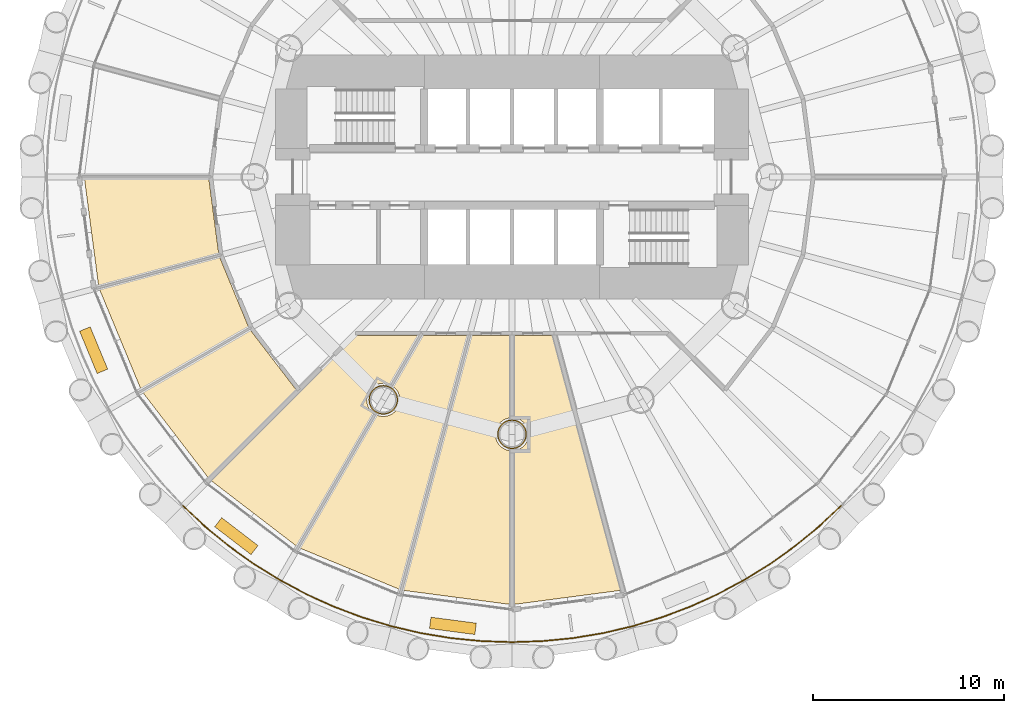
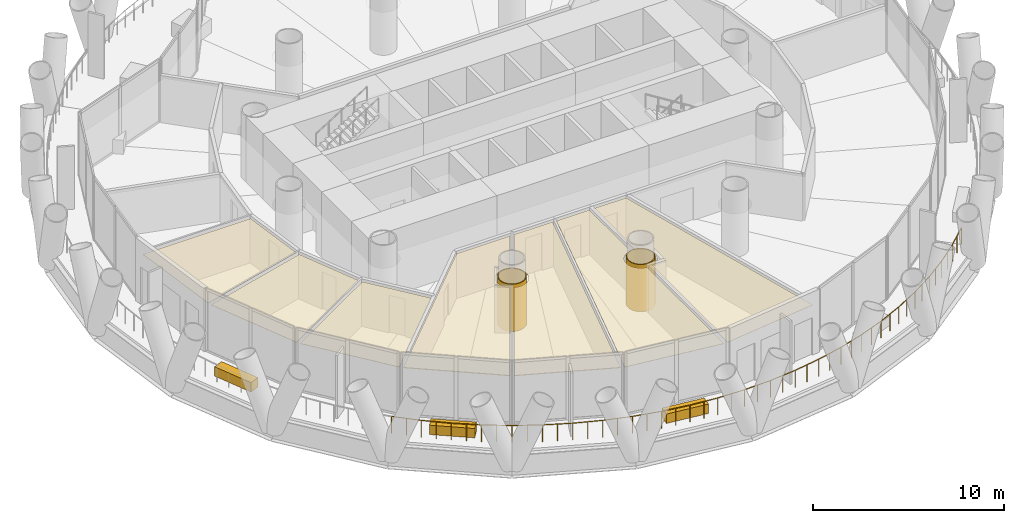
# One storey, part 11 of 14: 12 coverings, 1 railing.
"""IFC4 building model written with IfcOpenShell, lengths in metres."""

from ifc_helpers import new_model, si_unit, direction, frame, origin, origin_2d, place, context, subcontext, project, spatial, polyline, rectangle, circle, outline, extrude, material, layer, layer_set, type_object, element, save


model = new_model("IFC4")

# Units and contexts
model_context = context("Model", 3, precision=1e-05, world=origin(), true_north=direction((0.0, 1.0)))
body_context = subcontext(model_context, "Body", "Model", "MODEL_VIEW")
ifc_project = project(units=[si_unit("LENGTHUNIT", "METRE"), si_unit("AREAUNIT", "SQUARE_METRE"), si_unit("VOLUMEUNIT", "CUBIC_METRE"), si_unit("PLANEANGLEUNIT", "RADIAN"), si_unit("MASSUNIT", "GRAM", prefix="KILO")], contexts=[model_context])

# Site, building, storey
site_placement = place(None, origin())
site = spatial("IfcSite", under=ifc_project, at=site_placement, CompositionType="ELEMENT")
building_placement = place(site_placement, origin())
building = spatial("IfcBuilding", under=site, at=building_placement, Name="Qaws Media Tower", CompositionType="ELEMENT")
storey_placement = place(building_placement, frame((0.0, 0.0, 59.60009765625)))
storey = spatial("IfcBuildingStorey", under=building, at=storey_placement, Name="L12", CompositionType="ELEMENT", Elevation=59.60009765625)

# Coverings
ifc_material_1 = material(Name="40 perforated acoustic panels with mineral wool backing, suspended", Category="mineral fibre")
ifc_layer_1 = layer(ifc_material_1, 0.0400390625)
ifc_layer_set_1 = layer_set([ifc_layer_1], Name="Acoustic panel ceiling 40")
covering_type_1 = type_object("IfcCoveringType", Name="Acoustic panel ceiling 40", PredefinedType="CEILING", material=ifc_layer_set_1)
covering_1_placement = place(storey_placement, frame((0.0, 0.0, 2.849853515625)))
element("IfcCovering", 1, at=covering_1_placement, inside=storey, type_object=covering_type_1, Name="CL3 ceiling L12-08 Editors' meeting room", PredefinedType="CEILING", context=body_context, shape_type="SweptSolid", body=[
    extrude(outline(polyline([(44.225830078125, 34.06689453125), (51.8466796875, 41.6875), (55.07080078125, 41.6875), (53.58447265625, 39.11279296875), (53.475341796875, 39.14990234375), (53.36376953125, 39.172119140625), (53.25, 39.1796875), (53.13623046875, 39.172119140625), (53.024658203125, 39.14990234375), (52.916748046875, 39.11328125), (52.814453125, 39.06298828125), (52.7197265625, 38.999755859375), (52.634033203125, 38.924560546875), (52.55908203125, 38.8388671875), (52.49560546875, 38.744140625), (52.4453125, 38.64208984375), (52.40869140625, 38.5341796875), (52.386474609375, 38.42236328125), (52.37890625, 38.30859375), (52.386474609375, 38.195068359375), (52.40869140625, 38.083251953125), (52.4453125, 37.975341796875), (52.49560546875, 37.873291015625), (52.55908203125, 37.7783203125), (52.634033203125, 37.69287109375), (52.720703125, 37.616943359375), (48.6923828125, 30.6396484375), (44.225830078125, 34.06689453125)])), origin(), (0.0, 0.0, 1.0), 0.0400390625),
])
covering_2_placement = place(storey_placement, frame((0.0, 0.0, 2.849853515625)))
element("IfcCovering", 2, at=covering_2_placement, inside=storey, type_object=covering_type_1, Name="CL3 ceiling L12-09 Quiet room", PredefinedType="CEILING", context=body_context, shape_type="SweptSolid", body=[
    extrude(outline(polyline([(48.88720703125, 30.527099609375), (52.91552734375, 37.50439453125), (53.024658203125, 37.46728515625), (53.13623046875, 37.445068359375), (53.25, 37.437744140625), (53.36376953125, 37.445068359375), (53.475341796875, 37.46728515625), (53.583251953125, 37.50390625), (53.685546875, 37.55419921875), (53.7802734375, 37.61767578125), (53.865966796875, 37.69287109375), (53.94091796875, 37.7783203125), (54.00439453125, 37.873291015625), (54.0546875, 37.975341796875), (54.09130859375, 38.083251953125), (54.113525390625, 38.195068359375), (54.12109375, 38.30859375), (54.113525390625, 38.42236328125), (54.09130859375, 38.5341796875), (54.0546875, 38.64208984375), (54.00439453125, 38.744140625), (53.94091796875, 38.8388671875), (53.865966796875, 38.924560546875), (53.779296875, 39.000244140625), (55.330810546875, 41.6875), (57.65625, 41.6875), (54.08837890625, 28.372802734375), (48.88720703125, 30.527099609375)])), origin(), (0.0, 0.0, 1.0), 0.0400390625),
])

# Railing
ifc_material_2 = material(Name="Stainless steel and glass guard", Category="steel")
railing_type = type_object("IfcRailingType", Name="Balcony guard 1100", PredefinedType="GUARDRAIL", material=ifc_material_2)
railing_placement = place(storey_placement, frame((42.74658203125, 32.74658203125, 0.0)))
element("IfcRailing", 3, at=railing_placement, inside=storey, type_object=railing_type, Name="GR1 balcony guard L12-3", PredefinedType="GUARDRAIL", context=body_context, shape_type="SweptSolid", body=[
    extrude(circle(Radius=0.02392578125, at=origin_2d()), frame((0.0, 0.0, 1.076171875), z_axis=(0.729818476027, -0.683640981839, 0.0), x_axis=(0.683640981839, 0.729818476027, 0.0)), (0.0, 0.0, 1.0), 1.5966796875),
    extrude(circle(Radius=0.02392578125, at=origin_2d()), frame((1.165283203125, -1.091552734375, 1.076171875), z_axis=(0.773036842629, -0.634361127386, 0.0), x_axis=(0.634361127386, 0.773036842629, 0.0)), (0.0, 0.0, 1.0), 1.5966796875),
    extrude(circle(Radius=0.02392578125, at=origin_2d()), frame((2.399658203125, -2.1044921875, 1.076171875), z_axis=(0.812875043976, -0.582438119358, 0.0), x_axis=(0.582438119358, 0.812875043976, 0.0)), (0.0, 0.0, 1.0), 1.5966796875),
    extrude(circle(Radius=0.02392578125, at=origin_2d()), frame((3.697509765625, -3.034423828125, 1.076171875), z_axis=(0.849181552622, -0.528101023183, 0.0), x_axis=(0.528101023183, 0.849181552622, 0.0)), (0.0, 0.0, 1.0), 1.5966796875),
    extrude(circle(Radius=0.02392578125, at=origin_2d()), frame((5.053466796875, -3.877685546875, 1.076171875), z_axis=(0.881925093019, -0.471389573817, 0.0), x_axis=(0.471389573817, 0.881925093019, 0.0)), (0.0, 0.0, 1.0), 1.5966796875),
    extrude(circle(Radius=0.02392578125, at=origin_2d()), frame((6.461669921875, -4.63037109375, 1.076171875), z_axis=(0.910868514456, -0.412696679624, 0.0), x_axis=(0.412696679624, 0.910868514456, 0.0)), (0.0, 0.0, 1.0), 1.5966796875),
    extrude(circle(Radius=0.02392578125, at=origin_2d()), frame((7.916015625, -5.289306640625, 1.076171875), z_axis=(0.935945304178, -0.352145406881, 0.0), x_axis=(0.352145406881, 0.935945304178, 0.0)), (0.0, 0.0, 1.0), 1.5966796875),
    extrude(circle(Radius=0.02392578125, at=origin_2d()), frame((9.410400390625, -5.8515625, 1.076171875), z_axis=(0.956912447649, -0.290376596051, 0.0), x_axis=(0.290376596051, 0.956912447649, 0.0)), (0.0, 0.0, 1.0), 1.5966796875),
    extrude(circle(Radius=0.02392578125, at=origin_2d()), frame((10.938232421875, -6.315185546875, 1.076171875), z_axis=(0.973878416925, -0.227070097211, 0.0), x_axis=(0.227070097211, 0.973878416925, 0.0)), (0.0, 0.0, 1.0), 1.5966796875),
    extrude(circle(Radius=0.02392578125, at=origin_2d()), frame((12.4931640625, -6.677734375, 1.076171875), z_axis=(0.986653027442, -0.162836738606, 0.0), x_axis=(0.162836738606, 0.986653027442, 0.0)), (0.0, 0.0, 1.0), 1.5966796875),
    extrude(circle(Radius=0.02392578125, at=origin_2d()), frame((14.068603515625, -6.937744140625, 1.076171875), z_axis=(0.995184458966, -0.098019858359, 0.0), x_axis=(0.098019858359, 0.995184458966, 0.0)), (0.0, 0.0, 1.0), 1.596435546875),
    extrude(circle(Radius=0.02392578125, at=origin_2d()), frame((15.657470703125, -7.09423828125, 1.076171875), z_axis=(0.999464583588, -0.032719201604, 0.0), x_axis=(0.032719201604, 0.999464583588, 0.0)), (0.0, 0.0, 1.0), 1.596923828125),
    extrude(circle(Radius=0.02392578125, at=origin_2d()), frame((17.25341796875, -7.146484375, 1.076171875), z_axis=(0.999464583588, 0.032719201604, 0.0), x_axis=(-0.032719201604, 0.999464583588, 0.0)), (0.0, 0.0, 1.0), 1.596923828125),
    extrude(circle(Radius=0.02392578125, at=origin_2d()), frame((18.849365234375, -7.09423828125, 1.076171875), z_axis=(0.995184458966, 0.098019858359, 0.0), x_axis=(-0.098019858359, 0.995184458966, 0.0)), (0.0, 0.0, 1.0), 1.596435546875),
    extrude(circle(Radius=0.02392578125, at=origin_2d()), frame((20.438232421875, -6.937744140625, 1.076171875), z_axis=(0.986653027442, 0.162836738606, 0.0), x_axis=(-0.162836738606, 0.986653027442, 0.0)), (0.0, 0.0, 1.0), 1.5966796875),
    extrude(circle(Radius=0.02392578125, at=origin_2d()), frame((22.013671875, -6.677734375, 1.076171875), z_axis=(0.973878416925, 0.227070097211, 0.0), x_axis=(-0.227070097211, 0.973878416925, 0.0)), (0.0, 0.0, 1.0), 1.5966796875),
    extrude(circle(Radius=0.02392578125, at=origin_2d()), frame((23.568603515625, -6.315185546875, 1.076171875), z_axis=(0.956912447649, 0.290376596051, 0.0), x_axis=(-0.290376596051, 0.956912447649, 0.0)), (0.0, 0.0, 1.0), 1.5966796875),
    extrude(circle(Radius=0.02392578125, at=origin_2d()), frame((25.096435546875, -5.8515625, 1.076171875), z_axis=(0.935945304178, 0.352145406881, 0.0), x_axis=(-0.352145406881, 0.935945304178, 0.0)), (0.0, 0.0, 1.0), 1.5966796875),
    extrude(circle(Radius=0.02392578125, at=origin_2d()), frame((26.5908203125, -5.289306640625, 1.076171875), z_axis=(0.910868514456, 0.412696679624, 0.0), x_axis=(-0.412696679624, 0.910868514456, 0.0)), (0.0, 0.0, 1.0), 1.5966796875),
    extrude(circle(Radius=0.02392578125, at=origin_2d()), frame((28.045166015625, -4.63037109375, 1.076171875), z_axis=(0.881925093019, 0.471389573817, 0.0), x_axis=(-0.471389573817, 0.881925093019, 0.0)), (0.0, 0.0, 1.0), 1.5966796875),
    extrude(circle(Radius=0.02392578125, at=origin_2d()), frame((29.453369140625, -3.877685546875, 1.076171875), z_axis=(0.849181552622, 0.528101023183, 0.0), x_axis=(-0.528101023183, 0.849181552622, 0.0)), (0.0, 0.0, 1.0), 1.5966796875),
    extrude(circle(Radius=0.02392578125, at=origin_2d()), frame((30.809326171875, -3.034423828125, 1.076171875), z_axis=(0.812875043976, 0.582438119358, 0.0), x_axis=(-0.582438119358, 0.812875043976, 0.0)), (0.0, 0.0, 1.0), 1.5966796875),
    extrude(circle(Radius=0.02392578125, at=origin_2d()), frame((32.107177734375, -2.1044921875, 1.076171875), z_axis=(0.773036842629, 0.634361127386, 0.0), x_axis=(-0.634361127386, 0.773036842629, 0.0)), (0.0, 0.0, 1.0), 1.5966796875),
    extrude(circle(Radius=0.02392578125, at=origin_2d()), frame((33.341552734375, -1.091552734375, 1.076171875), z_axis=(0.729818476027, 0.683640981839, 0.0), x_axis=(-0.683640981839, 0.729818476027, 0.0)), (0.0, 0.0, 1.0), 1.5966796875),
    extrude(circle(Radius=0.02099609375, at=origin_2d()), origin(), (0.0, 0.0, 1.0), 1.052001953125),
    extrude(circle(Radius=0.02099609375, at=origin_2d()), frame((0.58251953125, -0.5458984375, 0.0)), (0.0, 0.0, 1.0), 1.052001953125),
    extrude(circle(Radius=0.02099609375, at=origin_2d()), frame((1.165283203125, -1.091552734375, 0.0)), (0.0, 0.0, 1.0), 1.052001953125),
    extrude(circle(Radius=0.02099609375, at=origin_2d()), frame((1.782470703125, -1.59814453125, 0.0)), (0.0, 0.0, 1.0), 1.052001953125),
    extrude(circle(Radius=0.02099609375, at=origin_2d()), frame((2.399658203125, -2.1044921875, 0.0)), (0.0, 0.0, 1.0), 1.052001953125),
    extrude(circle(Radius=0.02099609375, at=origin_2d()), frame((3.048583984375, -2.5693359375, 0.0)), (0.0, 0.0, 1.0), 1.052001953125),
    extrude(circle(Radius=0.02099609375, at=origin_2d()), frame((3.697509765625, -3.034423828125, 0.0)), (0.0, 0.0, 1.0), 1.052001953125),
    extrude(circle(Radius=0.02099609375, at=origin_2d()), frame((4.37548828125, -3.4560546875, 0.0)), (0.0, 0.0, 1.0), 1.052001953125),
    extrude(circle(Radius=0.02099609375, at=origin_2d()), frame((5.053466796875, -3.877685546875, 0.0)), (0.0, 0.0, 1.0), 1.052001953125),
    extrude(circle(Radius=0.02099609375, at=origin_2d()), frame((5.757568359375, -4.25390625, 0.0)), (0.0, 0.0, 1.0), 1.052001953125),
    extrude(circle(Radius=0.02099609375, at=origin_2d()), frame((6.461669921875, -4.63037109375, 0.0)), (0.0, 0.0, 1.0), 1.052001953125),
    extrude(circle(Radius=0.02099609375, at=origin_2d()), frame((7.18896484375, -4.9599609375, 0.0)), (0.0, 0.0, 1.0), 1.052001953125),
    extrude(circle(Radius=0.02099609375, at=origin_2d()), frame((7.916015625, -5.289306640625, 0.0)), (0.0, 0.0, 1.0), 1.052001953125),
    extrude(circle(Radius=0.02099609375, at=origin_2d()), frame((8.6630859375, -5.5703125, 0.0)), (0.0, 0.0, 1.0), 1.052001953125),
    extrude(circle(Radius=0.02099609375, at=origin_2d()), frame((9.410400390625, -5.8515625, 0.0)), (0.0, 0.0, 1.0), 1.052001953125),
    extrude(circle(Radius=0.02099609375, at=origin_2d()), frame((10.17431640625, -6.08349609375, 0.0)), (0.0, 0.0, 1.0), 1.052001953125),
    extrude(circle(Radius=0.02099609375, at=origin_2d()), frame((10.938232421875, -6.315185546875, 0.0)), (0.0, 0.0, 1.0), 1.052001953125),
    extrude(circle(Radius=0.02099609375, at=origin_2d()), frame((11.7158203125, -6.49658203125, 0.0)), (0.0, 0.0, 1.0), 1.052001953125),
    extrude(circle(Radius=0.02099609375, at=origin_2d()), frame((12.4931640625, -6.677734375, 0.0)), (0.0, 0.0, 1.0), 1.052001953125),
    extrude(circle(Radius=0.02099609375, at=origin_2d()), frame((13.28076171875, -6.8076171875, 0.0)), (0.0, 0.0, 1.0), 1.052001953125),
    extrude(circle(Radius=0.02099609375, at=origin_2d()), frame((14.068603515625, -6.937744140625, 0.0)), (0.0, 0.0, 1.0), 1.052001953125),
    extrude(circle(Radius=0.02099609375, at=origin_2d()), frame((14.863037109375, -7.01611328125, 0.0)), (0.0, 0.0, 1.0), 1.052001953125),
    extrude(circle(Radius=0.02099609375, at=origin_2d()), frame((15.657470703125, -7.09423828125, 0.0)), (0.0, 0.0, 1.0), 1.052001953125),
    extrude(circle(Radius=0.02099609375, at=origin_2d()), frame((16.45556640625, -7.120361328125, 0.0)), (0.0, 0.0, 1.0), 1.052001953125),
    extrude(circle(Radius=0.02099609375, at=origin_2d()), frame((17.25341796875, -7.146484375, 0.0)), (0.0, 0.0, 1.0), 1.052001953125),
    extrude(circle(Radius=0.02099609375, at=origin_2d()), frame((18.05126953125, -7.120361328125, 0.0)), (0.0, 0.0, 1.0), 1.052001953125),
    extrude(circle(Radius=0.02099609375, at=origin_2d()), frame((18.849365234375, -7.09423828125, 0.0)), (0.0, 0.0, 1.0), 1.052001953125),
    extrude(circle(Radius=0.02099609375, at=origin_2d()), frame((19.643798828125, -7.01611328125, 0.0)), (0.0, 0.0, 1.0), 1.052001953125),
    extrude(circle(Radius=0.02099609375, at=origin_2d()), frame((20.438232421875, -6.937744140625, 0.0)), (0.0, 0.0, 1.0), 1.052001953125),
    extrude(circle(Radius=0.02099609375, at=origin_2d()), frame((21.22607421875, -6.8076171875, 0.0)), (0.0, 0.0, 1.0), 1.052001953125),
    extrude(circle(Radius=0.02099609375, at=origin_2d()), frame((22.013671875, -6.677734375, 0.0)), (0.0, 0.0, 1.0), 1.052001953125),
    extrude(circle(Radius=0.02099609375, at=origin_2d()), frame((22.791015625, -6.49658203125, 0.0)), (0.0, 0.0, 1.0), 1.052001953125),
    extrude(circle(Radius=0.02099609375, at=origin_2d()), frame((23.568603515625, -6.315185546875, 0.0)), (0.0, 0.0, 1.0), 1.052001953125),
    extrude(circle(Radius=0.02099609375, at=origin_2d()), frame((24.33251953125, -6.08349609375, 0.0)), (0.0, 0.0, 1.0), 1.052001953125),
    extrude(circle(Radius=0.02099609375, at=origin_2d()), frame((25.096435546875, -5.8515625, 0.0)), (0.0, 0.0, 1.0), 1.052001953125),
    extrude(circle(Radius=0.02099609375, at=origin_2d()), frame((25.84375, -5.5703125, 0.0)), (0.0, 0.0, 1.0), 1.052001953125),
    extrude(circle(Radius=0.02099609375, at=origin_2d()), frame((26.5908203125, -5.289306640625, 0.0)), (0.0, 0.0, 1.0), 1.052001953125),
    extrude(circle(Radius=0.02099609375, at=origin_2d()), frame((27.31787109375, -4.9599609375, 0.0)), (0.0, 0.0, 1.0), 1.052001953125),
    extrude(circle(Radius=0.02099609375, at=origin_2d()), frame((28.045166015625, -4.63037109375, 0.0)), (0.0, 0.0, 1.0), 1.052001953125),
    extrude(circle(Radius=0.02099609375, at=origin_2d()), frame((28.749267578125, -4.25390625, 0.0)), (0.0, 0.0, 1.0), 1.052001953125),
    extrude(circle(Radius=0.02099609375, at=origin_2d()), frame((29.453369140625, -3.877685546875, 0.0)), (0.0, 0.0, 1.0), 1.052001953125),
    extrude(circle(Radius=0.02099609375, at=origin_2d()), frame((30.13134765625, -3.4560546875, 0.0)), (0.0, 0.0, 1.0), 1.052001953125),
    extrude(circle(Radius=0.02099609375, at=origin_2d()), frame((30.809326171875, -3.034423828125, 0.0)), (0.0, 0.0, 1.0), 1.052001953125),
    extrude(circle(Radius=0.02099609375, at=origin_2d()), frame((31.458251953125, -2.5693359375, 0.0)), (0.0, 0.0, 1.0), 1.052001953125),
    extrude(circle(Radius=0.02099609375, at=origin_2d()), frame((32.107177734375, -2.1044921875, 0.0)), (0.0, 0.0, 1.0), 1.052001953125),
    extrude(circle(Radius=0.02099609375, at=origin_2d()), frame((32.724365234375, -1.59814453125, 0.0)), (0.0, 0.0, 1.0), 1.052001953125),
    extrude(circle(Radius=0.02099609375, at=origin_2d()), frame((33.341552734375, -1.091552734375, 0.0)), (0.0, 0.0, 1.0), 1.052001953125),
    extrude(circle(Radius=0.02099609375, at=origin_2d()), frame((33.92431640625, -0.5458984375, 0.0)), (0.0, 0.0, 1.0), 1.052001953125),
    extrude(circle(Radius=0.02099609375, at=origin_2d()), frame((34.5068359375, 0.0, 0.0)), (0.0, 0.0, 1.0), 1.052001953125),
])

# Coverings
ifc_material_3 = material(Name="Two layers 15 fire-rated gypsum board on steel framing", Category="steel")
ifc_layer_2 = layer(ifc_material_3, 0.050048828125)
ifc_layer_set_2 = layer_set([ifc_layer_2], Name="Column fire casing")
covering_type_2 = type_object("IfcCoveringType", Name="Column fire casing", PredefinedType="CLADDING", material=ifc_layer_set_2)
covering_3_placement = place(storey_placement, origin())
element("IfcCovering", 4, at=covering_3_placement, inside=storey, type_object=covering_type_2, Name="CC1 column casing L12", PredefinedType="CLADDING", context=body_context, shape_type="SweptSolid", body=[
    extrude(outline(polyline([(54.01611328125, 38.30859375), (54.009521484375, 38.208740234375), (53.989990234375, 38.1103515625), (53.957763671875, 38.015380859375), (53.913330078125, 37.92578125), (53.857666015625, 37.84228515625), (53.79150390625, 37.76708984375), (53.71630859375, 37.700927734375), (53.633056640625, 37.645263671875), (53.543212890625, 37.60107421875), (53.4482421875, 37.56884765625), (53.35009765625, 37.54931640625), (53.25, 37.542724609375), (53.14990234375, 37.54931640625), (53.0517578125, 37.56884765625), (52.956787109375, 37.60107421875), (52.866943359375, 37.645263671875), (52.78369140625, 37.700927734375), (52.70849609375, 37.76708984375), (52.642333984375, 37.84228515625), (52.586669921875, 37.92578125), (52.542236328125, 38.015380859375), (52.510009765625, 38.1103515625), (52.490478515625, 38.208740234375), (52.48388671875, 38.30859375), (52.490478515625, 38.40869140625), (52.510009765625, 38.5068359375), (52.542236328125, 38.601806640625), (52.586669921875, 38.691650390625), (52.642333984375, 38.77490234375), (52.70849609375, 38.850341796875), (52.78369140625, 38.91650390625), (52.866943359375, 38.971923828125), (52.956787109375, 39.016357421875), (53.0517578125, 39.048583984375), (53.14990234375, 39.068115234375), (53.25, 39.07470703125), (53.35009765625, 39.068115234375), (53.4482421875, 39.048583984375), (53.543212890625, 39.016357421875), (53.633056640625, 38.971923828125), (53.71630859375, 38.91650390625), (53.79150390625, 38.850341796875), (53.857666015625, 38.77490234375), (53.913330078125, 38.691650390625), (53.957763671875, 38.601806640625), (53.989990234375, 38.5068359375), (54.009521484375, 38.40869140625), (54.01611328125, 38.30859375)]), holes=[polyline([(53.964111328125, 38.30859375), (53.9580078125, 38.215576171875), (53.939697265625, 38.123779296875), (53.90966796875, 38.035400390625), (53.868408203125, 37.95166015625), (53.81640625, 37.8740234375), (53.7548828125, 37.8037109375), (53.684814453125, 37.7421875), (53.60693359375, 37.690185546875), (53.523193359375, 37.64892578125), (53.434814453125, 37.618896484375), (53.34326171875, 37.600830078125), (53.25, 37.5947265625), (53.15673828125, 37.600830078125), (53.065185546875, 37.618896484375), (52.976806640625, 37.64892578125), (52.89306640625, 37.690185546875), (52.815185546875, 37.7421875), (52.7451171875, 37.8037109375), (52.68359375, 37.8740234375), (52.631591796875, 37.95166015625), (52.59033203125, 38.035400390625), (52.560302734375, 38.123779296875), (52.5419921875, 38.215576171875), (52.535888671875, 38.30859375), (52.5419921875, 38.40185546875), (52.560302734375, 38.493408203125), (52.59033203125, 38.581787109375), (52.631591796875, 38.665771484375), (52.68359375, 38.743408203125), (52.7451171875, 38.8134765625), (52.815185546875, 38.875), (52.89306640625, 38.927001953125), (52.976806640625, 38.96826171875), (53.065185546875, 38.998291015625), (53.15673828125, 39.0166015625), (53.25, 39.022705078125), (53.34326171875, 39.0166015625), (53.434814453125, 38.998291015625), (53.523193359375, 38.96826171875), (53.60693359375, 38.927001953125), (53.684814453125, 38.875), (53.7548828125, 38.8134765625), (53.81640625, 38.743408203125), (53.868408203125, 38.665771484375), (53.90966796875, 38.581787109375), (53.939697265625, 38.493408203125), (53.9580078125, 38.40185546875), (53.964111328125, 38.30859375)])]), origin(), (0.0, 0.0, 1.0), 3.02001953125),
])
covering_4_placement = place(storey_placement, origin())
element("IfcCovering", 5, at=covering_4_placement, inside=storey, type_object=covering_type_2, Name="CC1 column casing L12", PredefinedType="CLADDING", context=body_context, shape_type="SweptSolid", body=[
    extrude(outline(polyline([(60.76611328125, 36.5), (60.759521484375, 36.39990234375), (60.739990234375, 36.3017578125), (60.707763671875, 36.206787109375), (60.663330078125, 36.116943359375), (60.607666015625, 36.03369140625), (60.54150390625, 35.95849609375), (60.46630859375, 35.892333984375), (60.383056640625, 35.836669921875), (60.293212890625, 35.792236328125), (60.1982421875, 35.760009765625), (60.10009765625, 35.740478515625), (60.0, 35.73388671875), (59.89990234375, 35.740478515625), (59.8017578125, 35.760009765625), (59.706787109375, 35.792236328125), (59.616943359375, 35.836669921875), (59.53369140625, 35.892333984375), (59.45849609375, 35.95849609375), (59.392333984375, 36.03369140625), (59.336669921875, 36.116943359375), (59.292236328125, 36.206787109375), (59.260009765625, 36.3017578125), (59.240478515625, 36.39990234375), (59.23388671875, 36.5), (59.240478515625, 36.60009765625), (59.260009765625, 36.6982421875), (59.292236328125, 36.793212890625), (59.336669921875, 36.883056640625), (59.392333984375, 36.96630859375), (59.45849609375, 37.04150390625), (59.53369140625, 37.107666015625), (59.616943359375, 37.163330078125), (59.706787109375, 37.207763671875), (59.8017578125, 37.239990234375), (59.89990234375, 37.259521484375), (60.0, 37.26611328125), (60.10009765625, 37.259521484375), (60.1982421875, 37.239990234375), (60.293212890625, 37.207763671875), (60.383056640625, 37.163330078125), (60.46630859375, 37.107666015625), (60.54150390625, 37.04150390625), (60.607666015625, 36.96630859375), (60.663330078125, 36.883056640625), (60.707763671875, 36.793212890625), (60.739990234375, 36.6982421875), (60.759521484375, 36.60009765625), (60.76611328125, 36.5)]), holes=[polyline([(60.714111328125, 36.5), (60.7080078125, 36.40673828125), (60.689697265625, 36.315185546875), (60.65966796875, 36.226806640625), (60.618408203125, 36.14306640625), (60.56640625, 36.065185546875), (60.5048828125, 35.9951171875), (60.434814453125, 35.93359375), (60.35693359375, 35.881591796875), (60.273193359375, 35.84033203125), (60.184814453125, 35.810302734375), (60.09326171875, 35.7919921875), (60.0, 35.785888671875), (59.90673828125, 35.7919921875), (59.815185546875, 35.810302734375), (59.726806640625, 35.84033203125), (59.64306640625, 35.881591796875), (59.565185546875, 35.93359375), (59.4951171875, 35.9951171875), (59.43359375, 36.065185546875), (59.381591796875, 36.14306640625), (59.34033203125, 36.226806640625), (59.310302734375, 36.315185546875), (59.2919921875, 36.40673828125), (59.285888671875, 36.5), (59.2919921875, 36.59326171875), (59.310302734375, 36.684814453125), (59.34033203125, 36.773193359375), (59.381591796875, 36.85693359375), (59.43359375, 36.934814453125), (59.4951171875, 37.0048828125), (59.565185546875, 37.06640625), (59.64306640625, 37.118408203125), (59.726806640625, 37.15966796875), (59.815185546875, 37.189697265625), (59.90673828125, 37.2080078125), (60.0, 37.214111328125), (60.09326171875, 37.2080078125), (60.184814453125, 37.189697265625), (60.273193359375, 37.15966796875), (60.35693359375, 37.118408203125), (60.434814453125, 37.06640625), (60.5048828125, 37.0048828125), (60.56640625, 36.934814453125), (60.618408203125, 36.85693359375), (60.65966796875, 36.773193359375), (60.689697265625, 36.684814453125), (60.7080078125, 36.59326171875), (60.714111328125, 36.5)])]), origin(), (0.0, 0.0, 1.0), 3.02001953125),
])
ifc_material_4 = material(Name="600 x 600 mineral fibre tiles in exposed grid, suspended", Category="mineral fibre")
ifc_layer_3 = layer(ifc_material_4, 0.02001953125)
ifc_layer_set_3 = layer_set([ifc_layer_3], Name="Mineral fibre tile ceiling 20")
covering_type_3 = type_object("IfcCoveringType", Name="Mineral fibre tile ceiling 20", PredefinedType="CEILING", material=ifc_layer_set_3)
covering_5_placement = place(storey_placement, frame((0.0, 0.0, 2.849853515625)))
element("IfcCovering", 6, at=covering_5_placement, inside=storey, type_object=covering_type_3, Name="CL1 ceiling L12-10 Gents toilets", PredefinedType="CEILING", context=body_context, shape_type="SweptSolid", body=[
    extrude(outline(polyline([(54.305908203125, 28.314453125), (57.88916015625, 41.6875), (59.887451171875, 41.6875), (59.887451171875, 37.363525390625), (59.774658203125, 37.34130859375), (59.666748046875, 37.3046875), (59.564453125, 37.25439453125), (59.4697265625, 37.19091796875), (59.384033203125, 37.115966796875), (59.30908203125, 37.0302734375), (59.24560546875, 36.935546875), (59.1953125, 36.833251953125), (59.15869140625, 36.725341796875), (59.136474609375, 36.61376953125), (59.12890625, 36.5), (59.136474609375, 36.38623046875), (59.15869140625, 36.274658203125), (59.1953125, 36.166748046875), (59.24560546875, 36.064453125), (59.30908203125, 35.9697265625), (59.384033203125, 35.884033203125), (59.4697265625, 35.80908203125), (59.564453125, 35.74560546875), (59.666748046875, 35.6953125), (59.774658203125, 35.65869140625), (59.887451171875, 35.636474609375), (59.887451171875, 27.57958984375), (54.305908203125, 28.314453125)])), origin(), (0.0, 0.0, 1.0), 0.02001953125),
])
covering_6_placement = place(storey_placement, frame((0.0, 0.0, 2.849853515625)))
element("IfcCovering", 7, at=covering_6_placement, inside=storey, type_object=covering_type_3, Name="CL1 ceiling L12-11 Ladies toilets", PredefinedType="CEILING", context=body_context, shape_type="SweptSolid", body=[
    extrude(outline(polyline([(60.112548828125, 27.57958984375), (60.112548828125, 35.636474609375), (60.225341796875, 35.65869140625), (60.333251953125, 35.6953125), (60.435546875, 35.74560546875), (60.5302734375, 35.80908203125), (60.615966796875, 35.884033203125), (60.69091796875, 35.9697265625), (60.75439453125, 36.064453125), (60.8046875, 36.166748046875), (60.84130859375, 36.274658203125), (60.863525390625, 36.38623046875), (60.87109375, 36.5), (60.863525390625, 36.61376953125), (60.84130859375, 36.725341796875), (60.8046875, 36.833251953125), (60.75439453125, 36.935546875), (60.69091796875, 37.0302734375), (60.615966796875, 37.115966796875), (60.5302734375, 37.19091796875), (60.435546875, 37.25439453125), (60.333251953125, 37.3046875), (60.225341796875, 37.34130859375), (60.112548828125, 37.363525390625), (60.112548828125, 41.6875), (62.11083984375, 41.6875), (65.694091796875, 28.314453125), (60.112548828125, 27.57958984375)])), origin(), (0.0, 0.0, 1.0), 0.02001953125),
])
ifc_material_5 = material(Name="Precast concrete planter with trailing planting", Category="concrete")
ifc_layer_4 = layer(ifc_material_5, 0.60009765625)
ifc_layer_set_4 = layer_set([ifc_layer_4], Name="Planter 2400x600")
covering_type_4 = type_object("IfcCoveringType", Name="Planter 2400x600", PredefinedType="USERDEFINED", material=ifc_layer_set_4)
for number, where, z_axis, x_axis, name in (
    (8, (38.057861328125, 40.911376953125, -0.000244140625), (0.0, 0.0, 1.0), (0.382683432365, -0.923879532511, 0.0), "PL1 balcony planter L12-07"),
    (9, (45.5419921875, 31.157958984375, -0.000244140625), (0.0, 0.0, 1.0), (0.793353340291, -0.608761429009, 0.0), "PL1 balcony planter L12-08"),
    (10, (56.89990234375, 26.453125, -0.000244140625), (0.0, 0.0, 1.0), (0.991444861374, -0.13052619222, 0.0), "PL1 balcony planter L12-09"),
):
    element("IfcCovering", number, at=place(storey_placement, frame(where, z_axis=z_axis, x_axis=x_axis)), inside=storey, type_object=covering_type_4, Name=name, ObjectType="PLANTER", PredefinedType="USERDEFINED", context=body_context, shape_type="SweptSolid", body=[
        extrude(rectangle(XDim=2.39990234375, YDim=0.60009765625, at=origin_2d()), origin(), (0.0, 0.0, 1.0), 0.60009765625),
    ])
ifc_material_6 = material(Name="Two layers 12.5 moisture-resistant plasterboard on suspended metal furring", Category="gypsum")
ifc_layer_5 = layer(ifc_material_6, 0.02490234375)
ifc_layer_set_5 = layer_set([ifc_layer_5], Name="Plasterboard ceiling 25")
covering_type_5 = type_object("IfcCoveringType", Name="Plasterboard ceiling 25", PredefinedType="CEILING", material=ifc_layer_set_5)
covering_7_placement = place(storey_placement, frame((0.0, 0.0, 2.849853515625)))
element("IfcCovering", 11, at=covering_7_placement, inside=storey, type_object=covering_type_5, Name="CL2 ceiling L12-05 Editor's office", PredefinedType="CEILING", context=body_context, shape_type="SweptSolid", body=[
    extrude(outline(polyline([(37.57958984375, 49.887451171875), (44.101318359375, 49.887451171875), (44.614013671875, 45.993896484375), (38.314453125, 44.305908203125), (37.57958984375, 49.887451171875)])), origin(), (0.0, 0.0, 1.0), 0.025146484375),
])
covering_8_placement = place(storey_placement, frame((0.0, 0.0, 2.849853515625)))
element("IfcCovering", 12, at=covering_8_placement, inside=storey, type_object=covering_type_5, Name="CL2 ceiling L12-06 Editor's office", PredefinedType="CEILING", context=body_context, shape_type="SweptSolid", body=[
    extrude(outline(polyline([(38.372802734375, 44.08837890625), (44.672119140625, 45.776611328125), (46.175048828125, 42.148193359375), (40.527099609375, 38.88720703125), (38.372802734375, 44.08837890625)])), origin(), (0.0, 0.0, 1.0), 0.025146484375),
])
covering_9_placement = place(storey_placement, frame((0.0, 0.0, 2.849853515625)))
element("IfcCovering", 13, at=covering_9_placement, inside=storey, type_object=covering_type_5, Name="CL2 ceiling L12-07 Editor's office", PredefinedType="CEILING", context=body_context, shape_type="SweptSolid", body=[
    extrude(outline(polyline([(40.6396484375, 38.6923828125), (46.28759765625, 41.953125), (48.678466796875, 38.83740234375), (44.06689453125, 34.225830078125), (40.6396484375, 38.6923828125)])), origin(), (0.0, 0.0, 1.0), 0.025146484375),
])

save(model, "model.ifc")
